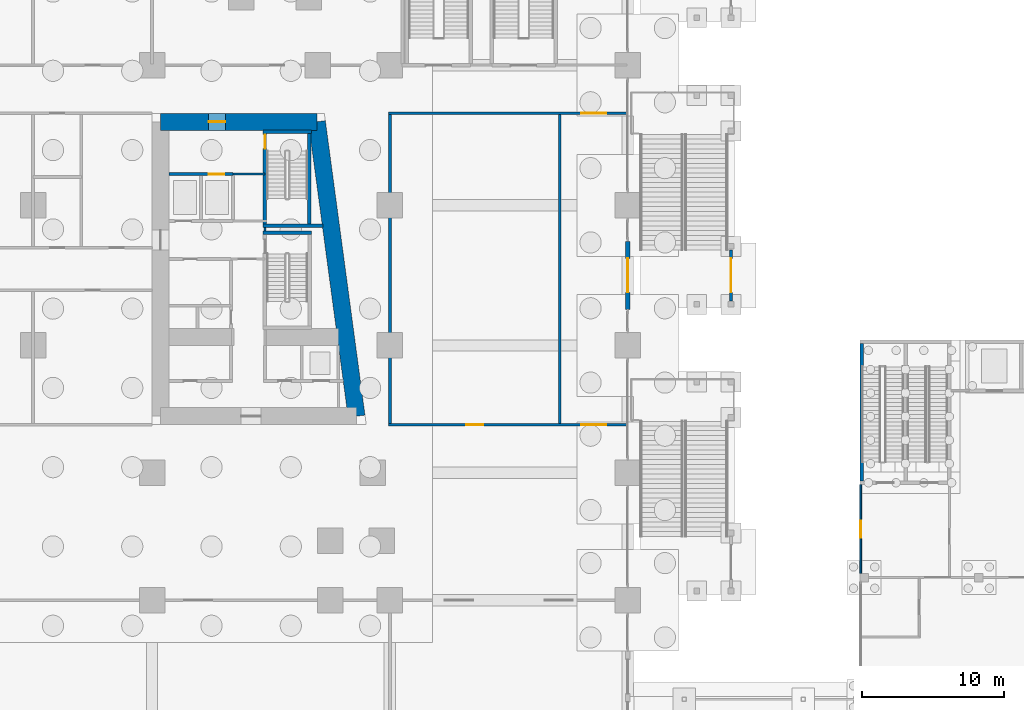
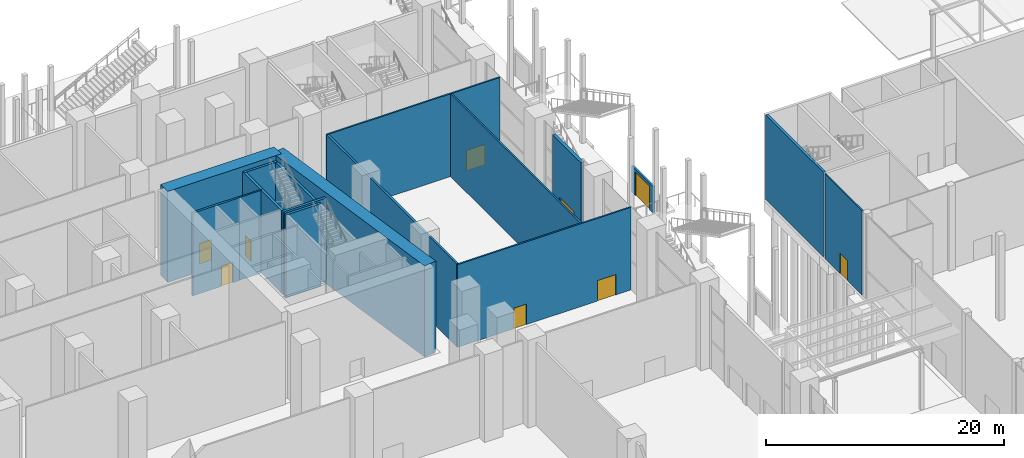
# One storey, part 45 of 72: 18 walls, 9 doors, 9 openings.
"""IFC4 building model written with IfcOpenShell, lengths in metres."""

from ifc_helpers import new_model, si_unit, direction, frame, frame_2d, origin, place, context, subcontext, project, spatial, rectangle, extrude, material, layer, layer_set, type_object, element, fill, save


model = new_model("IFC4")

# Units and contexts
model_context = context("Model", 3, precision=1e-05, world=origin(), true_north=direction((0.0, 1.0)))
body_context = subcontext(model_context, "Body", "Model", "MODEL_VIEW")
ifc_project = project(units=[si_unit("LENGTHUNIT", "METRE"), si_unit("AREAUNIT", "SQUARE_METRE"), si_unit("VOLUMEUNIT", "CUBIC_METRE"), si_unit("PLANEANGLEUNIT", "RADIAN"), si_unit("MASSUNIT", "GRAM", prefix="KILO")], contexts=[model_context])

# Site, building, storey
site_placement = place(None, origin())
site = spatial("IfcSite", under=ifc_project, at=site_placement, CompositionType="ELEMENT")
building_placement = place(site_placement, origin())
building = spatial("IfcBuilding", under=site, at=building_placement, Name="Candeia Pilgrim Tower and Theatre", CompositionType="ELEMENT")
storey_placement = place(building_placement, origin())
storey = spatial("IfcBuildingStorey", under=building, at=storey_placement, Name="L00", CompositionType="ELEMENT", Elevation=0.0)

# Wall, opening, door
ifc_material_1 = material(Name="Concrete C80/95", Category="concrete")
ifc_layer_1 = layer(ifc_material_1, 1.199951171875)
ifc_layer_set_1 = layer_set([ifc_layer_1], Name="Core wall 1200 C80/95")
wall_type_1 = type_object("IfcWallType", Name="Core wall 1200 C80/95", PredefinedType="SHEAR", material=ifc_layer_set_1)
wall_1_placement = place(storey_placement, frame((126.60009765625, 131.800048828125, -0.35009765625), z_axis=(0.0, 0.0, 1.0), x_axis=(1.0, 0.0, 0.0)))
wall_1 = element("IfcWall", 1, at=wall_1_placement, inside=storey, type_object=wall_type_1, Name="Core wall E1", PredefinedType="SHEAR", context=body_context, shape_type="SweptSolid", body=[
    extrude(rectangle(XDim=11.04443359375, YDim=1.199951171875, at=frame_2d((5.522216796875, 0.0))), origin(), (0.0, 0.0, 1.0), 9.35009765625),
])
opening_1_placement = place(wall_1_placement, frame((3.386474609375, 0.0, 0.35009765625)))
opening_1 = element("IfcOpeningElement", 2, at=opening_1_placement, cuts=wall_1, Name="Opening L00-D049", PredefinedType="OPENING", context=body_context, shape_type="SweptSolid", body=[
    extrude(rectangle(XDim=1.199951171875, YDim=2.10009765625, at=frame_2d((0.60009765625, 1.050048828125))), frame((0.0, 0.60986328125, 0.0), z_axis=(0.0, -1.0, 0.0), x_axis=(1.0, 0.0, 0.0)), (0.0, 0.0, 1.0), 1.219970703125),
])
ifc_material_2 = material(Name="Steel fire door set", Category="steel")
door_type_1 = type_object("IfcDoorType", Name="D-1200-FD60", OperationType="NOTDEFINED", PredefinedType="DOOR", material=ifc_material_2)
door_1_placement = place(opening_1_placement, origin())
door_1 = element("IfcDoor", 3, at=door_1_placement, inside=storey, type_object=door_type_1, Name="Door L00-D049", OperationType="SINGLE_SWING_RIGHT", OverallHeight=2.10009765625, OverallWidth=1.199951171875, PredefinedType="DOOR", context=body_context, shape_type="SweptSolid", body=[
    extrude(rectangle(XDim=1.199951171875, YDim=2.10009765625, at=frame_2d((0.60009765625, 1.050048828125))), frame((0.0, 0.02490234375, 0.0), z_axis=(0.0, -1.0, 0.0), x_axis=(1.0, 0.0, 0.0)), (0.0, 0.0, 1.0), 0.050048828125),
])
fill(opening_1, door_1)

# Wall
wall_2_placement = place(storey_placement, frame((137.64453125, 131.800048828125, -0.35009765625), z_axis=(0.0, 0.0, 1.0), x_axis=(0.133413989637, -0.99106039542, 0.0)))
element("IfcWall", 4, at=wall_2_placement, inside=storey, type_object=wall_type_1, Name="Core wall E2", PredefinedType="SHEAR", context=body_context, shape_type="SweptSolid", body=[
    extrude(rectangle(XDim=20.987548828125, YDim=1.199951171875, at=frame_2d((10.49365234375, 0.0))), origin(), (0.0, 0.0, 1.0), 9.35009765625),
])

# Wall, opening, door
ifc_material_3 = material(Name="Ceramic block masonry", Category="masonry")
ifc_layer_2 = layer(ifc_material_3, 0.300048828125)
ifc_layer_set_2 = layer_set([ifc_layer_2], Name="EW2 entrance infill wall 300")
wall_type_2 = type_object("IfcWallType", Name="EW2 entrance infill wall 300", PredefinedType="SOLIDWALL", material=ifc_layer_set_2)
wall_3_placement = place(storey_placement, frame((159.60009765625, 123.35009765625, 0.0), z_axis=(0.0, 0.0, 1.0), x_axis=(0.0, -1.0, 0.0)))
wall_3 = element("IfcWall", 5, at=wall_3_placement, inside=storey, type_object=wall_type_2, Name="Entrance wall L00", PredefinedType="SOLIDWALL", context=body_context, shape_type="SweptSolid", body=[
    extrude(rectangle(XDim=4.800048828125, YDim=0.300048828125, at=frame_2d((2.39990234375, 0.0))), origin(), (0.0, 0.0, 1.0), 8.10009765625),
])
opening_2_placement = place(wall_3_placement, frame((1.199951171875, 0.0, 0.0)))
opening_2 = element("IfcOpeningElement", 6, at=opening_2_placement, cuts=wall_3, Name="Opening L00-ED008", PredefinedType="OPENING", context=body_context, shape_type="SweptSolid", body=[
    extrude(rectangle(XDim=2.39990234375, YDim=2.39990234375, at=frame_2d((1.199951171875, 1.199951171875))), frame((0.0, 0.16015625, 0.0), z_axis=(0.0, -1.0, 0.0), x_axis=(1.0, 0.0, 0.0)), (0.0, 0.0, 1.0), 0.320068359375),
])
ifc_material_4 = material(Name="Aluminium framed glazed door", Category="aluminium")
door_type_2 = type_object("IfcDoorType", Name="ED entrance double door 2400x2400", OperationType="DOUBLE_DOOR_DOUBLE_SWING", PredefinedType="DOOR", material=ifc_material_4)
door_2_placement = place(opening_2_placement, origin())
door_2 = element("IfcDoor", 7, at=door_2_placement, inside=storey, type_object=door_type_2, Name="Entrance door L00-ED008", OperationType="DOUBLE_DOOR_DOUBLE_SWING", OverallHeight=2.39990234375, OverallWidth=2.39990234375, PredefinedType="DOOR", context=body_context, shape_type="SweptSolid", body=[
    extrude(rectangle(XDim=2.39990234375, YDim=2.39990234375, at=frame_2d((1.199951171875, 1.199951171875))), frame((0.0, 0.02490234375, 0.0), z_axis=(0.0, -1.0, 0.0), x_axis=(1.0, 0.0, 0.0)), (0.0, 0.0, 1.0), 0.050048828125),
])
fill(opening_2, door_2)

ifc_material_5 = material(Name="Concrete C35/45", Category="concrete")
ifc_layer_3 = layer(ifc_material_5, 0.199951171875)
ifc_layer_set_3 = layer_set([ifc_layer_3], Name="Escape stair gate wall 200")
wall_type_3 = type_object("IfcWallType", Name="Escape stair gate wall 200", PredefinedType="SOLIDWALL", material=ifc_layer_set_3)
wall_4_placement = place(storey_placement, frame((166.89990234375, 122.75, 0.0), z_axis=(0.0, 0.0, 1.0), x_axis=(0.0, -1.0, 0.0)))
wall_4 = element("IfcWall", 8, at=wall_4_placement, inside=storey, type_object=wall_type_3, Name="External escape stair ES14 gate wall", PredefinedType="SOLIDWALL", context=body_context, shape_type="SweptSolid", body=[
    extrude(rectangle(XDim=3.60009765625, YDim=0.199951171875, at=frame_2d((1.800048828125, 0.0))), origin(), (0.0, 0.0, 1.0), 2.699951171875),
])
opening_3_placement = place(wall_4_placement, frame((0.60009765625, 0.0, 0.0)))
opening_3 = element("IfcOpeningElement", 9, at=opening_3_placement, cuts=wall_4, Name="Opening XG-14", PredefinedType="OPENING", context=body_context, shape_type="SweptSolid", body=[
    extrude(rectangle(XDim=2.39990234375, YDim=2.39990234375, at=frame_2d((1.199951171875, 1.199951171875))), frame((0.0, 0.10986328125, 0.0), z_axis=(0.0, -1.0, 0.0), x_axis=(1.0, 0.0, 0.0)), (0.0, 0.0, 1.0), 0.219970703125),
])
door_3_placement = place(opening_3_placement, origin())
door_3 = element("IfcDoor", 10, at=door_3_placement, inside=storey, type_object=door_type_2, Name="Final exit door ES14", OperationType="DOUBLE_DOOR_DOUBLE_SWING", OverallHeight=2.39990234375, OverallWidth=2.39990234375, PredefinedType="DOOR", context=body_context, shape_type="SweptSolid", body=[
    extrude(rectangle(XDim=2.39990234375, YDim=2.39990234375, at=frame_2d((1.199951171875, 1.199951171875))), frame((0.0, 0.02490234375, 0.0), z_axis=(0.0, -1.0, 0.0), x_axis=(1.0, 0.0, 0.0)), (0.0, 0.0, 1.0), 0.050048828125),
])
fill(opening_3, door_3)

# Wall, openings, doors
ifc_material_6 = material(Name="Gypsum board partition on steel studs", Category="steel")
ifc_layer_4 = layer(ifc_material_6, 0.14990234375)
ifc_layer_set_4 = layer_set([ifc_layer_4], Name="PW-150 lobby wall")
wall_type_4 = type_object("IfcWallType", Name="PW-150 lobby wall", PredefinedType="PARTITIONING", material=ifc_layer_set_4)
wall_5_placement = place(storey_placement, frame((142.699951171875, 110.39990234375, 0.0), z_axis=(0.0, 0.0, 1.0), x_axis=(1.0, 0.0, 0.0)))
wall_5 = element("IfcWall", 11, at=wall_5_placement, inside=storey, type_object=wall_type_4, Name="Lobby wall L00-004", PredefinedType="PARTITIONING", context=body_context, shape_type="SweptSolid", body=[
    extrude(rectangle(XDim=16.85009765625, YDim=0.14990234375, at=frame_2d((8.425048828125, 0.0))), origin(), (0.0, 0.0, 1.0), 8.5),
])
opening_4_placement = place(wall_5_placement, frame((5.5, 0.0, 0.0)))
opening_4 = element("IfcOpeningElement", 12, at=opening_4_placement, cuts=wall_5, Name="Opening L00-D008", PredefinedType="OPENING", context=body_context, shape_type="SweptSolid", body=[
    extrude(rectangle(XDim=1.199951171875, YDim=2.10009765625, at=frame_2d((0.60009765625, 1.050048828125))), frame((0.0, 0.0849609375, 0.0), z_axis=(0.0, -1.0, 0.0), x_axis=(1.0, 0.0, 0.0)), (0.0, 0.0, 1.0), 0.169921875),
])
opening_5_placement = place(wall_5_placement, frame((13.60009765625, 0.0, 0.0)))
opening_5 = element("IfcOpeningElement", 13, at=opening_5_placement, cuts=wall_5, Name="Opening L00-D030", PredefinedType="OPENING", context=body_context, shape_type="SweptSolid", body=[
    extrude(rectangle(XDim=1.800048828125, YDim=2.10009765625, at=frame_2d((0.89990234375, 1.050048828125))), frame((0.0, 0.0849609375, 0.0), z_axis=(0.0, -1.0, 0.0), x_axis=(1.0, 0.0, 0.0)), (0.0, 0.0, 1.0), 0.169921875),
])
door_type_3 = type_object("IfcDoorType", Name="D-1200-FD30S", OperationType="NOTDEFINED", PredefinedType="DOOR", material=ifc_material_2)
door_4_placement = place(opening_4_placement, origin())
door_4 = element("IfcDoor", 14, at=door_4_placement, inside=storey, type_object=door_type_3, Name="Door L00-D008", OperationType="SINGLE_SWING_RIGHT", OverallHeight=2.10009765625, OverallWidth=1.199951171875, PredefinedType="DOOR", context=body_context, shape_type="SweptSolid", body=[
    extrude(rectangle(XDim=1.199951171875, YDim=2.10009765625, at=frame_2d((0.60009765625, 1.050048828125))), frame((0.0, 0.02490234375, 0.0), z_axis=(0.0, -1.0, 0.0), x_axis=(1.0, 0.0, 0.0)), (0.0, 0.0, 1.0), 0.050048828125),
])
fill(opening_4, door_4)
door_type_4 = type_object("IfcDoorType", Name="D-1800-FD60", OperationType="NOTDEFINED", PredefinedType="DOOR", material=ifc_material_2)
door_5_placement = place(opening_5_placement, origin())
door_5 = element("IfcDoor", 15, at=door_5_placement, inside=storey, type_object=door_type_4, Name="Door L00-D030", OperationType="SINGLE_SWING_RIGHT", OverallHeight=2.10009765625, OverallWidth=1.800048828125, PredefinedType="DOOR", context=body_context, shape_type="SweptSolid", body=[
    extrude(rectangle(XDim=1.800048828125, YDim=2.10009765625, at=frame_2d((0.89990234375, 1.050048828125))), frame((0.0, 0.02490234375, 0.0), z_axis=(0.0, -1.0, 0.0), x_axis=(1.0, 0.0, 0.0)), (0.0, 0.0, 1.0), 0.050048828125),
])
fill(opening_5, door_5)

# Walls
wall_6_placement = place(storey_placement, frame((131.71533203125, 128.10009765625, 0.0), z_axis=(0.0, 0.0, 1.0), x_axis=(1.0, 0.0, 0.0)))
element("IfcWall", 16, at=wall_6_placement, inside=storey, type_object=wall_type_4, Name="Lobby wall L00-029", PredefinedType="PARTITIONING", context=body_context, shape_type="SweptSolid", body=[
    extrude(rectangle(XDim=2.257568359375, YDim=0.14990234375, at=frame_2d((1.12890625, 0.0))), origin(), (0.0, 0.0, 1.0), 8.5),
])
wall_7_placement = place(storey_placement, frame((133.972900390625, 124.074951171875, 0.0), z_axis=(0.0, 0.0, 1.0), x_axis=(0.0, 1.0, 0.0)))
element("IfcWall", 17, at=wall_7_placement, inside=storey, type_object=wall_type_4, Name="Lobby wall L00-085", PredefinedType="PARTITIONING", context=body_context, shape_type="SweptSolid", body=[
    extrude(rectangle(XDim=0.25, YDim=0.14990234375, at=frame_2d((0.125, 0.0))), origin(), (0.0, 0.0, 1.0), 8.5),
])

# Wall, opening, door
ifc_layer_5 = layer(ifc_material_6, 0.14990234375)
ifc_layer_set_5 = layer_set([ifc_layer_5], Name="PW-150 unit wall")
wall_type_5 = type_object("IfcWallType", Name="PW-150 unit wall", PredefinedType="PARTITIONING", material=ifc_layer_set_5)
wall_8_placement = place(storey_placement, frame((142.699951171875, 132.39990234375, 0.0), z_axis=(0.0, 0.0, 1.0), x_axis=(1.0, 0.0, 0.0)))
wall_8 = element("IfcWall", 18, at=wall_8_placement, inside=storey, type_object=wall_type_5, Name="Unit wall L00-034", PredefinedType="PARTITIONING", context=body_context, shape_type="SweptSolid", body=[
    extrude(rectangle(XDim=16.85009765625, YDim=0.14990234375, at=frame_2d((8.425048828125, 0.0))), origin(), (0.0, 0.0, 1.0), 8.5),
])
opening_6_placement = place(wall_8_placement, frame((13.60009765625, 0.0, 0.0)))
opening_6 = element("IfcOpeningElement", 19, at=opening_6_placement, cuts=wall_8, Name="Opening L00-D031", PredefinedType="OPENING", context=body_context, shape_type="SweptSolid", body=[
    extrude(rectangle(XDim=1.800048828125, YDim=2.10009765625, at=frame_2d((0.89990234375, 1.050048828125))), frame((0.0, 0.0849609375, 0.0), z_axis=(0.0, -1.0, 0.0), x_axis=(1.0, 0.0, 0.0)), (0.0, 0.0, 1.0), 0.169921875),
])
door_6_placement = place(opening_6_placement, origin())
door_6 = element("IfcDoor", 20, at=door_6_placement, inside=storey, type_object=door_type_4, Name="Door L00-D031", OperationType="SINGLE_SWING_LEFT", OverallHeight=2.10009765625, OverallWidth=1.800048828125, PredefinedType="DOOR", context=body_context, shape_type="SweptSolid", body=[
    extrude(rectangle(XDim=1.800048828125, YDim=2.10009765625, at=frame_2d((0.89990234375, 1.050048828125))), frame((0.0, 0.02490234375, 0.0), z_axis=(0.0, -1.0, 0.0), x_axis=(1.0, 0.0, 0.0)), (0.0, 0.0, 1.0), 0.050048828125),
])
fill(opening_6, door_6)

# Walls
wall_9_placement = place(storey_placement, frame((154.800048828125, 110.47509765625, 0.0), z_axis=(0.0, 0.0, 1.0), x_axis=(0.0, 1.0, 0.0)))
element("IfcWall", 21, at=wall_9_placement, inside=storey, type_object=wall_type_5, Name="Unit wall L00-100", PredefinedType="PARTITIONING", context=body_context, shape_type="SweptSolid", body=[
    extrude(rectangle(XDim=21.849853515625, YDim=0.14990234375, at=frame_2d((10.9248046875, 0.0))), origin(), (0.0, 0.0, 1.0), 8.5),
])
ifc_layer_6 = layer(ifc_material_6, 0.199951171875)
ifc_layer_set_6 = layer_set([ifc_layer_6], Name="PW-200 party wall")
wall_type_6 = type_object("IfcWallType", Name="PW-200 party wall", PredefinedType="PARTITIONING", material=ifc_layer_set_6)
wall_10_placement = place(storey_placement, frame((142.800048828125, 110.47509765625, 0.0), z_axis=(0.0, 0.0, 1.0), x_axis=(0.0, 1.0, 0.0)))
element("IfcWall", 22, at=wall_10_placement, inside=storey, type_object=wall_type_6, Name="Party wall L00-094", PredefinedType="PARTITIONING", context=body_context, shape_type="SweptSolid", body=[
    extrude(rectangle(XDim=21.849853515625, YDim=0.199951171875, at=frame_2d((10.9248046875, 0.0))), origin(), (0.0, 0.0, 1.0), 8.5),
])

# Wall, opening, door
ifc_material_7 = material(Name="Gypsum board on steel studs", Category="steel")
ifc_layer_7 = layer(ifc_material_7, 0.125)
ifc_layer_set_7 = layer_set([ifc_layer_7], Name="Partition 125")
wall_type_7 = type_object("IfcWallType", Name="Partition 125", PredefinedType="PARTITIONING", material=ifc_layer_set_7)
wall_11_placement = place(storey_placement, frame((176.0625, 99.89990234375, 0.0), z_axis=(0.0, 0.0, 1.0), x_axis=(0.0, 1.0, 0.0)))
wall_11 = element("IfcWall", 23, at=wall_11_placement, inside=storey, type_object=wall_type_7, Name="T-L00-W040", PredefinedType="PARTITIONING", context=body_context, shape_type="SweptSolid", body=[
    extrude(rectangle(XDim=6.275146484375, YDim=0.125, at=frame_2d((3.1376953125, 0.0))), origin(), (0.0, 0.0, 1.0), 8.699951171875),
])
opening_7_placement = place(wall_11_placement, frame((2.5, 0.0, 0.0)))
opening_7 = element("IfcOpeningElement", 24, at=opening_7_placement, cuts=wall_11, Name="Opening TD-L00-012", PredefinedType="OPENING", context=body_context, shape_type="SweptSolid", body=[
    extrude(rectangle(XDim=1.199951171875, YDim=2.10009765625, at=frame_2d((0.60009765625, 1.050048828125))), frame((0.0, 0.072509765625, 0.0), z_axis=(0.0, -1.0, 0.0), x_axis=(1.0, 0.0, 0.0)), (0.0, 0.0, 1.0), 0.14501953125),
])
ifc_material_8 = material(Name="Steel fire door leaf", Category="steel")
door_type_5 = type_object("IfcDoorType", Name="Door exit single 1200x2100", OperationType="NOTDEFINED", PredefinedType="DOOR", material=ifc_material_8)
door_7_placement = place(opening_7_placement, origin())
door_7 = element("IfcDoor", 25, at=door_7_placement, inside=storey, type_object=door_type_5, Name="Door TD-L00-012", OperationType="SINGLE_SWING_RIGHT", OverallHeight=2.10009765625, OverallWidth=1.199951171875, PredefinedType="DOOR", context=body_context, shape_type="SweptSolid", body=[
    extrude(rectangle(XDim=1.199951171875, YDim=2.10009765625, at=frame_2d((0.60009765625, 1.050048828125))), frame((0.0, 0.02490234375, 0.0), z_axis=(0.0, -1.0, 0.0), x_axis=(1.0, 0.0, 0.0)), (0.0, 0.0, 1.0), 0.050048828125),
])
fill(opening_7, door_7)

# Wall
ifc_layer_8 = layer(ifc_material_5, 0.25)
ifc_layer_set_8 = layer_set([ifc_layer_8], Name="RC wall 250 C35/45")
wall_type_8 = type_object("IfcWallType", Name="RC wall 250 C35/45", PredefinedType="SOLIDWALL", material=ifc_layer_set_8)
wall_12_placement = place(storey_placement, frame((176.125, 106.425048828125, 0.0), z_axis=(0.0, 0.0, 1.0), x_axis=(0.0, 1.0, 0.0)))
element("IfcWall", 26, at=wall_12_placement, inside=storey, type_object=wall_type_8, Name="T-L00-W041", PredefinedType="SOLIDWALL", context=body_context, shape_type="SweptSolid", body=[
    extrude(rectangle(XDim=9.724853515625, YDim=0.25, at=frame_2d((4.8623046875, 0.0))), origin(), (0.0, 0.0, 1.0), 8.699951171875),
])

# Wall, opening, door
ifc_material_9 = material(Name="Concrete C40/50", Category="concrete")
ifc_layer_9 = layer(ifc_material_9, 0.199951171875)
ifc_layer_set_9 = layer_set([ifc_layer_9], Name="SW-200 shaft wall")
wall_type_9 = type_object("IfcWallType", Name="SW-200 shaft wall", PredefinedType="PARTITIONING", material=ifc_layer_set_9)
wall_13_placement = place(storey_placement, frame((127.199951171875, 128.10009765625, 0.0), z_axis=(0.0, 0.0, 1.0), x_axis=(1.0, 0.0, 0.0)))
wall_13 = element("IfcWall", 27, at=wall_13_placement, inside=storey, type_object=wall_type_9, Name="Shaft wall L00-028", PredefinedType="PARTITIONING", context=body_context, shape_type="SweptSolid", body=[
    extrude(rectangle(XDim=4.515380859375, YDim=0.199951171875, at=frame_2d((2.2578125, 0.0))), origin(), (0.0, 0.0, 1.0), 8.5),
])
opening_8_placement = place(wall_13_placement, frame((2.791015625, 0.0, 0.0)))
opening_8 = element("IfcOpeningElement", 28, at=opening_8_placement, cuts=wall_13, Name="Opening L00-LD07", PredefinedType="OPENING", context=body_context, shape_type="SweptSolid", body=[
    extrude(rectangle(XDim=1.10009765625, YDim=2.10009765625, at=frame_2d((0.550048828125, 1.050048828125))), frame((0.0, 0.10986328125, 0.0), z_axis=(0.0, -1.0, 0.0), x_axis=(1.0, 0.0, 0.0)), (0.0, 0.0, 1.0), 0.219970703125),
])
ifc_material_10 = material(Name="Glazed aluminium landing door", Category="aluminium")
door_type_6 = type_object("IfcDoorType", Name="LD-1100-EI120", OperationType="SLIDING_TO_LEFT", PredefinedType="DOOR", material=ifc_material_10)
door_8_placement = place(opening_8_placement, origin())
door_8 = element("IfcDoor", 29, at=door_8_placement, inside=storey, type_object=door_type_6, Name="Landing door 07 L00", OperationType="SLIDING_TO_LEFT", OverallHeight=2.10009765625, OverallWidth=1.10009765625, PredefinedType="DOOR", context=body_context, shape_type="SweptSolid", body=[
    extrude(rectangle(XDim=1.10009765625, YDim=2.10009765625, at=frame_2d((0.550048828125, 1.050048828125))), frame((0.0, 0.02490234375, 0.0), z_axis=(0.0, -1.0, 0.0), x_axis=(1.0, 0.0, 0.0)), (0.0, 0.0, 1.0), 0.050048828125),
])
fill(opening_8, door_8)

# Walls
ifc_layer_10 = layer(ifc_material_9, 0.25)
ifc_layer_set_10 = layer_set([ifc_layer_10], Name="SW-250 stair wall")
wall_type_10 = type_object("IfcWallType", Name="SW-250 stair wall", PredefinedType="PARTITIONING", material=ifc_layer_set_10)
wall_14_placement = place(storey_placement, frame((133.847900390625, 123.949951171875, 0.0), z_axis=(0.0, 0.0, 1.0), x_axis=(1.0, 0.0, 0.0)))
element("IfcWall", 30, at=wall_14_placement, inside=storey, type_object=wall_type_10, Name="Stair wall L00-020", PredefinedType="PARTITIONING", context=body_context, shape_type="SweptSolid", body=[
    extrude(rectangle(XDim=3.400146484375, YDim=0.25, at=frame_2d((1.7001953125, 0.0))), origin(), (0.0, 0.0, 1.0), 8.5),
])
wall_15_placement = place(storey_placement, frame((133.847900390625, 124.449951171875, 0.0), z_axis=(0.0, 0.0, 1.0), x_axis=(1.0, 0.0, 0.0)))
element("IfcWall", 31, at=wall_15_placement, inside=storey, type_object=wall_type_10, Name="Stair wall L00-022", PredefinedType="PARTITIONING", context=body_context, shape_type="SweptSolid", body=[
    extrude(rectangle(XDim=4.210693359375, YDim=0.25, at=frame_2d((2.10546875, 0.0))), origin(), (0.0, 0.0, 1.0), 8.5),
])
wall_16_placement = place(storey_placement, frame((133.847900390625, 131.10107421875, 0.0), z_axis=(0.0, 0.0, 1.0), x_axis=(1.0, 0.0, 0.0)))
element("IfcWall", 32, at=wall_16_placement, inside=storey, type_object=wall_type_10, Name="Stair wall L00-031", PredefinedType="PARTITIONING", context=body_context, shape_type="SweptSolid", body=[
    extrude(rectangle(XDim=3.400146484375, YDim=0.25, at=frame_2d((1.7001953125, 0.0))), origin(), (0.0, 0.0, 1.0), 8.5),
])

# Wall, opening, door
wall_17_placement = place(storey_placement, frame((133.972900390625, 124.574951171875, 0.0), z_axis=(0.0, 0.0, 1.0), x_axis=(0.0, 1.0, 0.0)))
wall_17 = element("IfcWall", 33, at=wall_17_placement, inside=storey, type_object=wall_type_10, Name="Stair wall L00-087", PredefinedType="PARTITIONING", context=body_context, shape_type="SweptSolid", body=[
    extrude(rectangle(XDim=6.655029296875, YDim=0.25, at=frame_2d((3.32763671875, 0.0))), origin(), (0.0, 0.0, 1.0), 8.5),
])
opening_9_placement = place(wall_17_placement, frame((5.324951171875, 0.0, 0.0)))
opening_9 = element("IfcOpeningElement", 34, at=opening_9_placement, cuts=wall_17, Name="Opening L00-D041", PredefinedType="OPENING", context=body_context, shape_type="SweptSolid", body=[
    extrude(rectangle(XDim=1.0, YDim=2.10009765625, at=frame_2d((0.5, 1.050048828125))), frame((0.0, 0.135009765625, 0.0), z_axis=(0.0, -1.0, 0.0), x_axis=(1.0, 0.0, 0.0)), (0.0, 0.0, 1.0), 0.27001953125),
])
door_type_7 = type_object("IfcDoorType", Name="D-1000-FD60", OperationType="NOTDEFINED", PredefinedType="DOOR", material=ifc_material_2)
door_9_placement = place(opening_9_placement, origin())
door_9 = element("IfcDoor", 35, at=door_9_placement, inside=storey, type_object=door_type_7, Name="Door L00-D041", OperationType="SINGLE_SWING_LEFT", OverallHeight=2.10009765625, OverallWidth=1.0, PredefinedType="DOOR", context=body_context, shape_type="SweptSolid", body=[
    extrude(rectangle(XDim=1.0, YDim=2.10009765625, at=frame_2d((0.5, 1.050048828125))), frame((0.0, 0.02490234375, 0.0), z_axis=(0.0, -1.0, 0.0), x_axis=(1.0, 0.0, 0.0)), (0.0, 0.0, 1.0), 0.050048828125),
])
fill(opening_9, door_9)

# Wall
wall_18_placement = place(storey_placement, frame((137.0927734375, 124.574951171875, 0.0), z_axis=(0.0, 0.0, 1.0), x_axis=(0.0, 1.0, 0.0)))
element("IfcWall", 36, at=wall_18_placement, inside=storey, type_object=wall_type_10, Name="Stair wall L00-090", PredefinedType="PARTITIONING", context=body_context, shape_type="SweptSolid", body=[
    extrude(rectangle(XDim=6.5, YDim=0.25, at=frame_2d((3.25, 0.0))), origin(), (0.0, 0.0, 1.0), 8.5),
])

save(model, "model.ifc")
